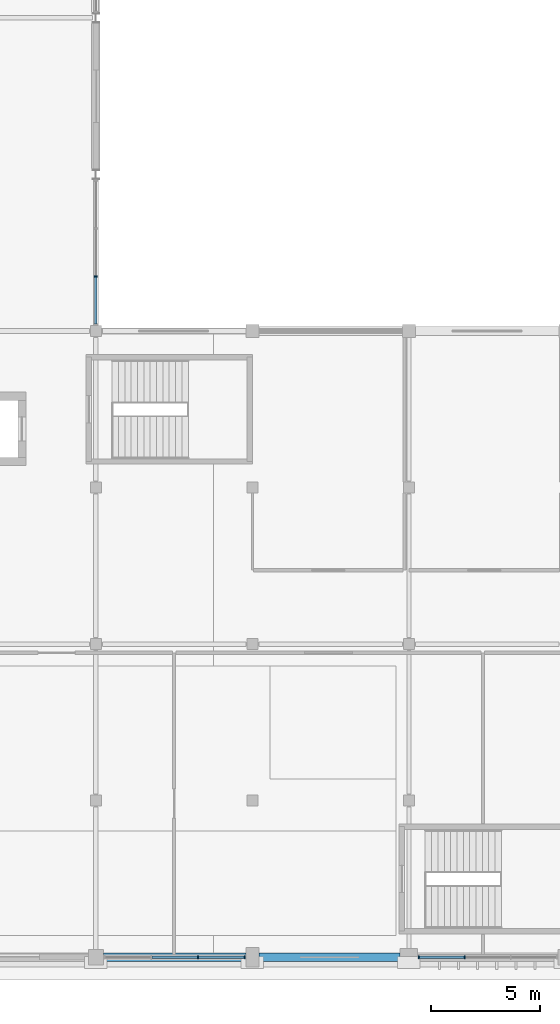
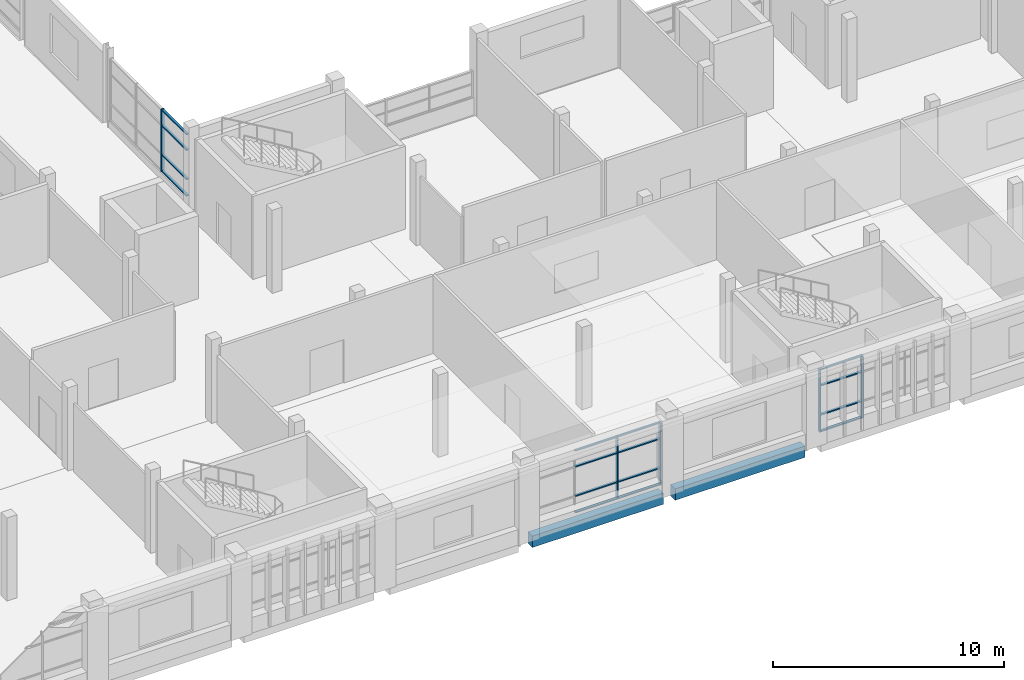
# One storey, part 11 of 71: 21 members, 2 beams, 3 elements without a shape of their own.
"""IFC4 building model written with IfcOpenShell, lengths in metres."""

from ifc_helpers import new_model, si_unit, direction, frame, origin, origin_2d, place, context, subcontext, project, spatial, rectangle, extrude, material, material_profile, profile_set, type_object, element, aggregate, save


model = new_model("IFC4")

# Units and contexts
model_context = context("Model", 3, precision=1e-05, world=origin(), true_north=direction((0.0, 1.0)))
body_context = subcontext(model_context, "Body", "Model", "MODEL_VIEW")
ifc_project = project(units=[si_unit("LENGTHUNIT", "METRE"), si_unit("AREAUNIT", "SQUARE_METRE"), si_unit("VOLUMEUNIT", "CUBIC_METRE"), si_unit("PLANEANGLEUNIT", "RADIAN"), si_unit("MASSUNIT", "GRAM", prefix="KILO")], contexts=[model_context])

# Site, building, storey
site_placement = place(None, origin())
site = spatial("IfcSite", under=ifc_project, at=site_placement, CompositionType="ELEMENT")
building_placement = place(site_placement, origin())
building = spatial("IfcBuilding", under=site, at=building_placement, Name="Sardonyx Promenade Sports Hall", CompositionType="ELEMENT")
storey_placement = place(building_placement, frame((0.0, 0.0, 16.0)))
storey = spatial("IfcBuildingStorey", under=building, at=storey_placement, Name="L03", CompositionType="ELEMENT", Elevation=16.0)

# Beams
ifc_material_1 = material(Name="Concrete C40/50", Category="concrete")
ifc_material_profile_1 = material_profile(ifc_material_1, rectangle(XDim=0.39990234375, YDim=0.60009765625, at=origin_2d()))
ifc_profile_set_1 = profile_set([ifc_material_profile_1], Name="Concrete C40/50")
beam_type = type_object("IfcBeamType", Name="Bm_Spandrel_RC600", PredefinedType="SPANDREL", material=ifc_profile_set_1)
beam_1_placement = place(storey_placement, frame((29.14990234375, 0.0, -0.300048828125), z_axis=(1.0, 0.0, 0.0), x_axis=(0.0, 1.0, 0.0)))
element("IfcBeam", 1, at=beam_1_placement, inside=storey, type_object=beam_type, Name="Beam SPB1 L03 #710", PredefinedType="SPANDREL", context=body_context, shape_type="SweptSolid", body=[
    extrude(rectangle(XDim=0.39990234375, YDim=0.60009765625, at=origin_2d()), origin(), (0.0, 0.0, 1.0), 6.550048828125),
])
beam_2_placement = place(storey_placement, frame((36.300048828125, 0.0, -0.300048828125), z_axis=(1.0, 0.0, 0.0), x_axis=(0.0, 1.0, 0.0)))
element("IfcBeam", 2, at=beam_2_placement, inside=storey, type_object=beam_type, Name="Beam SPB1 L03 #711", PredefinedType="SPANDREL", context=body_context, shape_type="SweptSolid", body=[
    extrude(rectangle(XDim=0.39990234375, YDim=0.60009765625, at=origin_2d()), origin(), (0.0, 0.0, 1.0), 6.5),
])

# Curtain wall, members
ifc_material_2 = material(Name="Aluminium 6063-T6", Category="aluminium")
curtain_wall_type = type_object("IfcCurtainWallType", Name="CW_South_L03_640", PredefinedType="USERDEFINED", material=ifc_material_2)
curtain_wall_1_placement = place(storey_placement, origin())
curtain_wall_1 = element("IfcCurtainWall", 3, at=curtain_wall_1_placement, inside=storey, type_object=curtain_wall_type, Name="Curtain wall CW14 cw:L03:045", ObjectType="CURTAIN WALL", PredefinedType="USERDEFINED")
ifc_material_3 = material(Name="Aluminium 6063-T6", Category="aluminium")
ifc_material_profile_2 = material_profile(ifc_material_3, rectangle(XDim=0.06005859375, YDim=0.14990234375, at=origin_2d()))
ifc_profile_set_2 = profile_set([ifc_material_profile_2], Name="Aluminium 6063-T6")
member_type_1 = type_object("IfcMemberType", Name="CW_Mull_150", PredefinedType="MULLION", material=ifc_profile_set_2)
member_1_placement = place(storey_placement, frame((45.7666015625, 0.0, 0.35009765625), z_axis=(0.0, 0.0, 1.0), x_axis=(-1.0, 0.0, 0.0)))
member_1 = element("IfcMember", 4, at=member_1_placement, type_object=member_type_1, Name="Mullion CM01 cw:L03:045 #3", PredefinedType="MULLION", context=body_context, shape_type="SweptSolid", body=[
    extrude(rectangle(XDim=0.06005859375, YDim=0.14990234375, at=origin_2d()), origin(), (0.0, 0.0, 1.0), 3.324951171875),
])
member_2_placement = place(storey_placement, frame((43.64990234375, 0.0, 0.35009765625), z_axis=(0.0, 0.0, 1.0), x_axis=(-1.0, 0.0, 0.0)))
member_2 = element("IfcMember", 5, at=member_2_placement, type_object=member_type_1, Name="Mullion CM01 cw:L03:045 #4", PredefinedType="MULLION", context=body_context, shape_type="SweptSolid", body=[
    extrude(rectangle(XDim=0.06005859375, YDim=0.14990234375, at=origin_2d()), origin(), (0.0, 0.0, 1.0), 3.324951171875),
])

curtain_wall_2_placement = place(storey_placement, origin())
curtain_wall_2 = element("IfcCurtainWall", 6, at=curtain_wall_2_placement, inside=storey, type_object=curtain_wall_type, Name="Curtain wall CW14 cw:L03:046", ObjectType="CURTAIN WALL", PredefinedType="USERDEFINED")
member_3_placement = place(storey_placement, frame((35.64990234375, 0.0, 0.35009765625), z_axis=(0.0, 0.0, 1.0), x_axis=(-1.0, 0.0, 0.0)))
member_3 = element("IfcMember", 7, at=member_3_placement, type_object=member_type_1, Name="Mullion CM01 cw:L03:046 #1", PredefinedType="MULLION", context=body_context, shape_type="SweptSolid", body=[
    extrude(rectangle(XDim=0.06005859375, YDim=0.14990234375, at=origin_2d()), origin(), (0.0, 0.0, 1.0), 3.324951171875),
])
member_4_placement = place(storey_placement, frame((33.5, 0.0, 0.35009765625), z_axis=(0.0, 0.0, 1.0), x_axis=(-1.0, 0.0, 0.0)))
member_4 = element("IfcMember", 8, at=member_4_placement, type_object=member_type_1, Name="Mullion CM01 cw:L03:046 #2", PredefinedType="MULLION", context=body_context, shape_type="SweptSolid", body=[
    extrude(rectangle(XDim=0.06005859375, YDim=0.14990234375, at=origin_2d()), origin(), (0.0, 0.0, 1.0), 3.324951171875),
])

# Curtain wall, member
curtain_wall_3_placement = place(storey_placement, origin())
curtain_wall_3 = element("IfcCurtainWall", 9, at=curtain_wall_3_placement, inside=storey, type_object=curtain_wall_type, Name="Curtain wall CW14 cw:L03:157", ObjectType="CURTAIN WALL", PredefinedType="USERDEFINED")
member_5_placement = place(storey_placement, frame((28.800048828125, 31.31005859375, 0.35009765625), z_axis=(0.0, 0.0, 1.0), x_axis=(0.0, -1.0, 0.0)))
member_5 = element("IfcMember", 10, at=member_5_placement, type_object=member_type_1, Name="Mullion CM01 cw:L03:157 #3", PredefinedType="MULLION", context=body_context, shape_type="SweptSolid", body=[
    extrude(rectangle(XDim=0.06005859375, YDim=0.14990234375, at=origin_2d()), origin(), (0.0, 0.0, 1.0), 3.304931640625),
])

# Member
ifc_material_4 = material(Name="Aluminium 6063-T6", Category="aluminium")
ifc_material_profile_3 = material_profile(ifc_material_4, rectangle(XDim=0.06005859375, YDim=0.1201171875, at=origin_2d()))
ifc_profile_set_3 = profile_set([ifc_material_profile_3], Name="Aluminium 6063-T6")
member_type_2 = type_object("IfcMemberType", Name="CW_Tran_120", PredefinedType="USERDEFINED", material=ifc_profile_set_3)
member_6_placement = place(storey_placement, frame((45.736572265625, 0.0, 0.3798828125), z_axis=(-1.0, 0.0, 0.0), x_axis=(0.0, 0.0, 1.0)))
member_6 = element("IfcMember", 11, at=member_6_placement, type_object=member_type_2, Name="Transom CT01 cw:L03:045 #9", ObjectType="TRANSOM", PredefinedType="USERDEFINED", context=body_context, shape_type="SweptSolid", body=[
    extrude(rectangle(XDim=0.06005859375, YDim=0.1201171875, at=origin_2d()), origin(), (0.0, 0.0, 1.0), 2.056640625),
])

member_7_placement = place(storey_placement, frame((45.736572265625, 0.0, 1.25), z_axis=(-1.0, 0.0, 0.0), x_axis=(0.0, 0.0, 1.0)))
member_7 = element("IfcMember", 12, at=member_7_placement, type_object=member_type_2, Name="Transom CT01 cw:L03:045 #10", ObjectType="TRANSOM", PredefinedType="USERDEFINED", context=body_context, shape_type="SweptSolid", body=[
    extrude(rectangle(XDim=0.06005859375, YDim=0.1201171875, at=origin_2d()), origin(), (0.0, 0.0, 1.0), 2.056640625),
])

member_8_placement = place(storey_placement, frame((45.736572265625, 0.0, 2.800048828125), z_axis=(-1.0, 0.0, 0.0), x_axis=(0.0, 0.0, 1.0)))
member_8 = element("IfcMember", 13, at=member_8_placement, type_object=member_type_2, Name="Transom CT01 cw:L03:045 #11", ObjectType="TRANSOM", PredefinedType="USERDEFINED", context=body_context, shape_type="SweptSolid", body=[
    extrude(rectangle(XDim=0.06005859375, YDim=0.1201171875, at=origin_2d()), origin(), (0.0, 0.0, 1.0), 2.056640625),
])

member_9_placement = place(storey_placement, frame((45.736572265625, 0.0, 3.64501953125), z_axis=(-1.0, 0.0, 0.0), x_axis=(0.0, 0.0, 1.0)))
member_9 = element("IfcMember", 14, at=member_9_placement, type_object=member_type_2, Name="Transom CT01 cw:L03:045 #12", ObjectType="TRANSOM", PredefinedType="USERDEFINED", context=body_context, shape_type="SweptSolid", body=[
    extrude(rectangle(XDim=0.06005859375, YDim=0.1201171875, at=origin_2d()), origin(), (0.0, 0.0, 1.0), 2.056640625),
])

aggregate(curtain_wall_1, [member_1, member_2, member_6, member_7, member_8, member_9])

member_10_placement = place(storey_placement, frame((35.6201171875, 0.0, 0.3798828125), z_axis=(-1.0, 0.0, 0.0), x_axis=(0.0, 0.0, 1.0)))
member_10 = element("IfcMember", 15, at=member_10_placement, type_object=member_type_2, Name="Transom CT01 cw:L03:046 #1", ObjectType="TRANSOM", PredefinedType="USERDEFINED", context=body_context, shape_type="SweptSolid", body=[
    extrude(rectangle(XDim=0.06005859375, YDim=0.1201171875, at=origin_2d()), origin(), (0.0, 0.0, 1.0), 2.090087890625),
])

member_11_placement = place(storey_placement, frame((35.6201171875, 0.0, 1.25), z_axis=(-1.0, 0.0, 0.0), x_axis=(0.0, 0.0, 1.0)))
member_11 = element("IfcMember", 16, at=member_11_placement, type_object=member_type_2, Name="Transom CT01 cw:L03:046 #2", ObjectType="TRANSOM", PredefinedType="USERDEFINED", context=body_context, shape_type="SweptSolid", body=[
    extrude(rectangle(XDim=0.06005859375, YDim=0.1201171875, at=origin_2d()), origin(), (0.0, 0.0, 1.0), 2.090087890625),
])

member_12_placement = place(storey_placement, frame((35.6201171875, 0.0, 2.800048828125), z_axis=(-1.0, 0.0, 0.0), x_axis=(0.0, 0.0, 1.0)))
member_12 = element("IfcMember", 17, at=member_12_placement, type_object=member_type_2, Name="Transom CT01 cw:L03:046 #3", ObjectType="TRANSOM", PredefinedType="USERDEFINED", context=body_context, shape_type="SweptSolid", body=[
    extrude(rectangle(XDim=0.06005859375, YDim=0.1201171875, at=origin_2d()), origin(), (0.0, 0.0, 1.0), 2.090087890625),
])

member_13_placement = place(storey_placement, frame((35.6201171875, 0.0, 3.64501953125), z_axis=(-1.0, 0.0, 0.0), x_axis=(0.0, 0.0, 1.0)))
member_13 = element("IfcMember", 18, at=member_13_placement, type_object=member_type_2, Name="Transom CT01 cw:L03:046 #4", ObjectType="TRANSOM", PredefinedType="USERDEFINED", context=body_context, shape_type="SweptSolid", body=[
    extrude(rectangle(XDim=0.06005859375, YDim=0.1201171875, at=origin_2d()), origin(), (0.0, 0.0, 1.0), 2.090087890625),
])

member_14_placement = place(storey_placement, frame((33.469970703125, 0.0, 0.3798828125), z_axis=(-1.0, 0.0, 0.0), x_axis=(0.0, 0.0, 1.0)))
member_14 = element("IfcMember", 19, at=member_14_placement, type_object=member_type_2, Name="Transom CT01 cw:L03:046 #5", ObjectType="TRANSOM", PredefinedType="USERDEFINED", context=body_context, shape_type="SweptSolid", body=[
    extrude(rectangle(XDim=0.06005859375, YDim=0.1201171875, at=origin_2d()), origin(), (0.0, 0.0, 1.0), 2.090087890625),
])

member_15_placement = place(storey_placement, frame((33.469970703125, 0.0, 1.25), z_axis=(-1.0, 0.0, 0.0), x_axis=(0.0, 0.0, 1.0)))
member_15 = element("IfcMember", 20, at=member_15_placement, type_object=member_type_2, Name="Transom CT01 cw:L03:046 #6", ObjectType="TRANSOM", PredefinedType="USERDEFINED", context=body_context, shape_type="SweptSolid", body=[
    extrude(rectangle(XDim=0.06005859375, YDim=0.1201171875, at=origin_2d()), origin(), (0.0, 0.0, 1.0), 2.090087890625),
])

member_16_placement = place(storey_placement, frame((33.469970703125, 0.0, 2.800048828125), z_axis=(-1.0, 0.0, 0.0), x_axis=(0.0, 0.0, 1.0)))
member_16 = element("IfcMember", 21, at=member_16_placement, type_object=member_type_2, Name="Transom CT01 cw:L03:046 #7", ObjectType="TRANSOM", PredefinedType="USERDEFINED", context=body_context, shape_type="SweptSolid", body=[
    extrude(rectangle(XDim=0.06005859375, YDim=0.1201171875, at=origin_2d()), origin(), (0.0, 0.0, 1.0), 2.090087890625),
])

member_17_placement = place(storey_placement, frame((33.469970703125, 0.0, 3.64501953125), z_axis=(-1.0, 0.0, 0.0), x_axis=(0.0, 0.0, 1.0)))
member_17 = element("IfcMember", 22, at=member_17_placement, type_object=member_type_2, Name="Transom CT01 cw:L03:046 #8", ObjectType="TRANSOM", PredefinedType="USERDEFINED", context=body_context, shape_type="SweptSolid", body=[
    extrude(rectangle(XDim=0.06005859375, YDim=0.1201171875, at=origin_2d()), origin(), (0.0, 0.0, 1.0), 2.090087890625),
])

aggregate(curtain_wall_2, [member_3, member_4, member_10, member_11, member_12, member_13, member_14, member_15, member_16, member_17])

member_18_placement = place(storey_placement, frame((28.800048828125, 31.280029296875, 0.3798828125), z_axis=(0.0, -1.0, 0.0), x_axis=(0.0, 0.0, 1.0)))
member_18 = element("IfcMember", 23, at=member_18_placement, type_object=member_type_2, Name="Transom CT01 cw:L03:157 #9", ObjectType="TRANSOM", PredefinedType="USERDEFINED", context=body_context, shape_type="SweptSolid", body=[
    extrude(rectangle(XDim=0.06005859375, YDim=0.1201171875, at=origin_2d()), origin(), (0.0, 0.0, 1.0), 2.150146484375),
])

member_19_placement = place(storey_placement, frame((28.800048828125, 31.280029296875, 1.25), z_axis=(0.0, -1.0, 0.0), x_axis=(0.0, 0.0, 1.0)))
member_19 = element("IfcMember", 24, at=member_19_placement, type_object=member_type_2, Name="Transom CT01 cw:L03:157 #10", ObjectType="TRANSOM", PredefinedType="USERDEFINED", context=body_context, shape_type="SweptSolid", body=[
    extrude(rectangle(XDim=0.06005859375, YDim=0.1201171875, at=origin_2d()), origin(), (0.0, 0.0, 1.0), 2.150146484375),
])

member_20_placement = place(storey_placement, frame((28.800048828125, 31.280029296875, 2.800048828125), z_axis=(0.0, -1.0, 0.0), x_axis=(0.0, 0.0, 1.0)))
member_20 = element("IfcMember", 25, at=member_20_placement, type_object=member_type_2, Name="Transom CT01 cw:L03:157 #11", ObjectType="TRANSOM", PredefinedType="USERDEFINED", context=body_context, shape_type="SweptSolid", body=[
    extrude(rectangle(XDim=0.06005859375, YDim=0.1201171875, at=origin_2d()), origin(), (0.0, 0.0, 1.0), 2.150146484375),
])

member_21_placement = place(storey_placement, frame((28.800048828125, 31.280029296875, 3.625), z_axis=(0.0, -1.0, 0.0), x_axis=(0.0, 0.0, 1.0)))
member_21 = element("IfcMember", 26, at=member_21_placement, type_object=member_type_2, Name="Transom CT01 cw:L03:157 #12", ObjectType="TRANSOM", PredefinedType="USERDEFINED", context=body_context, shape_type="SweptSolid", body=[
    extrude(rectangle(XDim=0.06005859375, YDim=0.1201171875, at=origin_2d()), origin(), (0.0, 0.0, 1.0), 2.150146484375),
])

aggregate(curtain_wall_3, [member_5, member_18, member_19, member_20, member_21])

save(model, "model.ifc")
